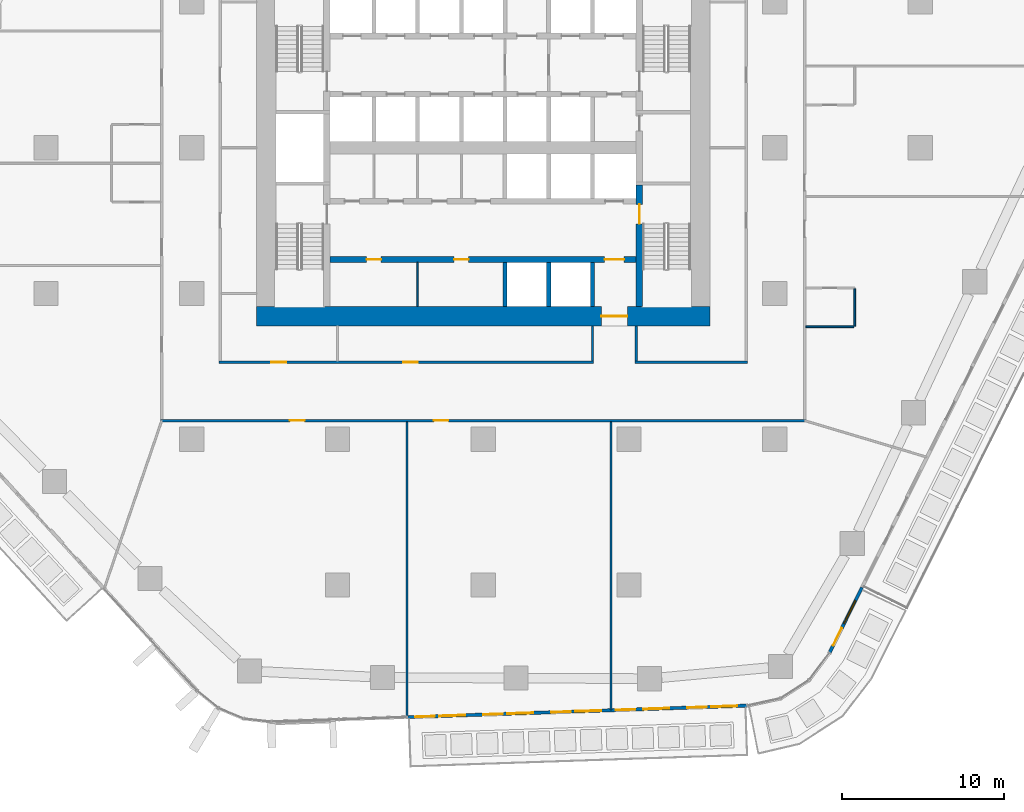
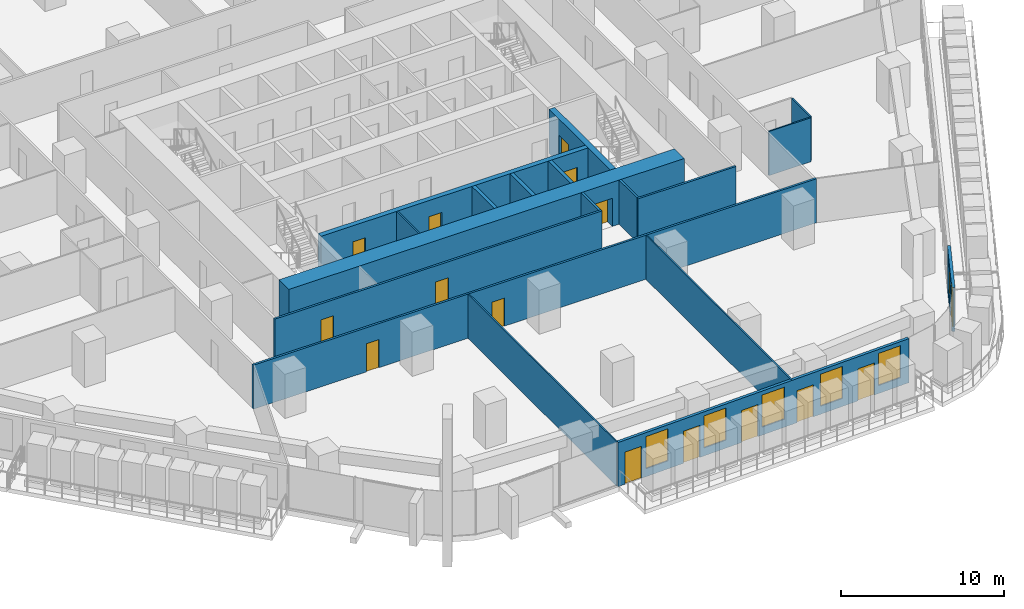
# One storey, part 13 of 26: 18 walls, 15 doors, 6 windows, 21 openings.
"""IFC4 building model written with IfcOpenShell, lengths in metres."""

from ifc_helpers import new_model, si_unit, direction, frame, frame_2d, origin, place, context, subcontext, project, spatial, rectangle, extrude, material, layer, layer_set, type_object, element, fill, save


model = new_model("IFC4")

# Units and contexts
model_context = context("Model", 3, precision=1e-05, world=origin(), true_north=direction((0.0, 1.0)))
body_context = subcontext(model_context, "Body", "Model", "MODEL_VIEW")
ifc_project = project(units=[si_unit("LENGTHUNIT", "METRE"), si_unit("AREAUNIT", "SQUARE_METRE"), si_unit("VOLUMEUNIT", "CUBIC_METRE"), si_unit("PLANEANGLEUNIT", "RADIAN"), si_unit("MASSUNIT", "GRAM", prefix="KILO")], contexts=[model_context])

# Site, building, storey
site_placement = place(None, origin())
site = spatial("IfcSite", under=ifc_project, at=site_placement, CompositionType="ELEMENT")
building_placement = place(site_placement, origin())
building = spatial("IfcBuilding", under=site, at=building_placement, Name="Dongbaek Canopy Tower", CompositionType="ELEMENT")
storey_placement = place(building_placement, frame((0.0, 0.0, 66.199951171875)))
storey = spatial("IfcBuildingStorey", under=building, at=storey_placement, Name="L12", CompositionType="ELEMENT", Elevation=66.199951171875)

# Wall, openings, doors
ifc_material_1 = material(Name="Concrete C60/75", Category="concrete")
ifc_layer_1 = layer(ifc_material_1, 0.35009765625)
ifc_layer_set_1 = layer_set([ifc_layer_1], Name="Core lobby wall 350 Concrete C60/75")
wall_type_1 = type_object("IfcWallType", Name="Core lobby wall 350 Concrete C60/75", PredefinedType="SHEAR", material=ifc_layer_set_1)
wall_1_placement = place(storey_placement, frame((9.449951171875, -6.89990234375, 0.0), z_axis=(0.0, 0.0, 1.0), x_axis=(-1.0, 0.0, 0.0)))
wall_1 = element("IfcWall", 1, at=wall_1_placement, inside=storey, type_object=wall_type_1, Name="Core wall", PredefinedType="SHEAR", context=body_context, shape_type="SweptSolid", body=[
    extrude(rectangle(XDim=18.89990234375, YDim=0.35009765625, at=frame_2d((9.449951171875, 0.0))), origin(), (0.0, 0.0, 1.0), 3.300048828125),
])
opening_1_placement = place(wall_1_placement, frame((0.75, 0.0, 0.0)))
opening_1 = element("IfcOpeningElement", 2, at=opening_1_placement, cuts=wall_1, Name="Opening L12-D045", PredefinedType="OPENING", context=body_context, shape_type="SweptSolid", body=[
    extrude(rectangle(XDim=1.199951171875, YDim=2.10009765625, at=frame_2d((0.60009765625, 1.050048828125))), frame((0.0, 0.18505859375, 0.0), z_axis=(0.0, -1.0, 0.0), x_axis=(1.0, 0.0, 0.0)), (0.0, 0.0, 1.0), 0.3701171875),
])
opening_2_placement = place(wall_1_placement, frame((15.75, 0.0, 0.0)))
opening_2 = element("IfcOpeningElement", 3, at=opening_2_placement, cuts=wall_1, Name="Opening L12-D050", PredefinedType="OPENING", context=body_context, shape_type="SweptSolid", body=[
    extrude(rectangle(XDim=0.89990234375, YDim=2.10009765625, at=frame_2d((0.449951171875, 1.050048828125))), frame((0.0, 0.18505859375, 0.0), z_axis=(0.0, -1.0, 0.0), x_axis=(1.0, 0.0, 0.0)), (0.0, 0.0, 1.0), 0.3701171875),
])
opening_3_placement = place(wall_1_placement, frame((10.35009765625, 0.0, 0.0)))
opening_3 = element("IfcOpeningElement", 4, at=opening_3_placement, cuts=wall_1, Name="Opening L12-D051", PredefinedType="OPENING", context=body_context, shape_type="SweptSolid", body=[
    extrude(rectangle(XDim=0.89990234375, YDim=2.10009765625, at=frame_2d((0.449951171875, 1.050048828125))), frame((0.0, 0.18505859375, 0.0), z_axis=(0.0, -1.0, 0.0), x_axis=(1.0, 0.0, 0.0)), (0.0, 0.0, 1.0), 0.3701171875),
])
ifc_material_2 = material(Name="Steel", Category="steel")
door_type_1 = type_object("IfcDoorType", Name="Core room door 900 x 2100", OperationType="SINGLE_SWING_LEFT", PredefinedType="DOOR", material=ifc_material_2)
door_1_placement = place(opening_2_placement, origin())
door_1 = element("IfcDoor", 5, at=door_1_placement, inside=storey, type_object=door_type_1, Name="Door L12-D050", OperationType="SINGLE_SWING_RIGHT", OverallHeight=2.10009765625, OverallWidth=0.89990234375, PredefinedType="DOOR", context=body_context, shape_type="SweptSolid", body=[
    extrude(rectangle(XDim=0.89990234375, YDim=2.10009765625, at=frame_2d((0.449951171875, 1.050048828125))), frame((0.0, 0.02490234375, 0.0), z_axis=(0.0, -1.0, 0.0), x_axis=(1.0, 0.0, 0.0)), (0.0, 0.0, 1.0), 0.050048828125),
])
fill(opening_2, door_1)
door_2_placement = place(opening_3_placement, origin())
door_2 = element("IfcDoor", 6, at=door_2_placement, inside=storey, type_object=door_type_1, Name="Door L12-D051", OperationType="SINGLE_SWING_LEFT", OverallHeight=2.10009765625, OverallWidth=0.89990234375, PredefinedType="DOOR", context=body_context, shape_type="SweptSolid", body=[
    extrude(rectangle(XDim=0.89990234375, YDim=2.10009765625, at=frame_2d((0.449951171875, 1.050048828125))), frame((0.0, 0.02490234375, 0.0), z_axis=(0.0, -1.0, 0.0), x_axis=(1.0, 0.0, 0.0)), (0.0, 0.0, 1.0), 0.050048828125),
])
fill(opening_3, door_2)
ifc_material_3 = material(Name="Steel", Category="steel")
door_type_2 = type_object("IfcDoorType", Name="Fire lobby door 1200 x 2100", OperationType="SINGLE_SWING_LEFT", PredefinedType="DOOR", material=ifc_material_3)
door_3_placement = place(opening_1_placement, origin())
door_3 = element("IfcDoor", 7, at=door_3_placement, inside=storey, type_object=door_type_2, Name="Door L12-D045", OperationType="SINGLE_SWING_LEFT", OverallHeight=2.10009765625, OverallWidth=1.199951171875, PredefinedType="DOOR", context=body_context, shape_type="SweptSolid", body=[
    extrude(rectangle(XDim=1.199951171875, YDim=2.10009765625, at=frame_2d((0.60009765625, 1.050048828125))), frame((0.0, 0.02490234375, 0.0), z_axis=(0.0, -1.0, 0.0), x_axis=(1.0, 0.0, 0.0)), (0.0, 0.0, 1.0), 0.050048828125),
])
fill(opening_1, door_3)

# Wall, opening, door
ifc_material_4 = material(Name="Concrete C60/75", Category="concrete")
ifc_layer_2 = layer(ifc_material_4, 1.199951171875)
ifc_layer_set_2 = layer_set([ifc_layer_2], Name="Core outer wall 1200 Concrete C60/75")
wall_type_2 = type_object("IfcWallType", Name="Core outer wall 1200 Concrete C60/75", PredefinedType="SHEAR", material=ifc_layer_set_2)
wall_2_placement = place(storey_placement, frame((14.0, -10.39990234375, 0.0), z_axis=(0.0, 0.0, 1.0), x_axis=(-1.0, 0.0, 0.0)))
wall_2 = element("IfcWall", 8, at=wall_2_placement, inside=storey, type_object=wall_type_2, Name="Core wall", PredefinedType="SHEAR", context=body_context, shape_type="SweptSolid", body=[
    extrude(rectangle(XDim=28.0, YDim=1.199951171875, at=frame_2d((14.0, 0.0))), origin(), (0.0, 0.0, 1.0), 3.300048828125),
])
opening_4_placement = place(wall_2_placement, frame((5.10009765625, 0.0, 0.0)))
opening_4 = element("IfcOpeningElement", 9, at=opening_4_placement, cuts=wall_2, Name="Opening L12-D044", PredefinedType="OPENING", context=body_context, shape_type="SweptSolid", body=[
    extrude(rectangle(XDim=1.60009765625, YDim=2.10009765625, at=frame_2d((0.800048828125, 1.050048828125))), frame((0.0, 0.60986328125, 0.0), z_axis=(0.0, -1.0, 0.0), x_axis=(1.0, 0.0, 0.0)), (0.0, 0.0, 1.0), 1.219970703125),
])
ifc_material_5 = material(Name="Steel", Category="steel")
door_type_3 = type_object("IfcDoorType", Name="Core exit door 1600 x 2100", OperationType="DOUBLE_DOOR_SINGLE_SWING", PredefinedType="DOOR", material=ifc_material_5)
door_4_placement = place(opening_4_placement, origin())
door_4 = element("IfcDoor", 10, at=door_4_placement, inside=storey, type_object=door_type_3, Name="Core exit door", OperationType="DOUBLE_DOOR_SINGLE_SWING", OverallHeight=2.10009765625, OverallWidth=1.60009765625, PredefinedType="DOOR", context=body_context, shape_type="SweptSolid", body=[
    extrude(rectangle(XDim=1.60009765625, YDim=2.10009765625, at=frame_2d((0.800048828125, 1.050048828125))), frame((0.0, 0.02490234375, 0.0), z_axis=(0.0, -1.0, 0.0), x_axis=(1.0, 0.0, 0.0)), (0.0, 0.0, 1.0), 0.050048828125),
])
fill(opening_4, door_4)

# Wall, openings, doors
ifc_material_6 = material(Name="Gypsum board partition, steel stud, 2 x 15 mm fire board", Category="steel")
ifc_layer_3 = layer(ifc_material_6, 0.14990234375)
ifc_layer_set_3 = layer_set([ifc_layer_3], Name="Fire-rated partition 150 gypsum board")
wall_type_3 = type_object("IfcWallType", Name="Fire-rated partition 150 gypsum board", PredefinedType="PARTITIONING", material=ifc_layer_set_3)
wall_3_placement = place(storey_placement, frame((19.925048828125, -16.85009765625, 0.0), z_axis=(0.0, 0.0, 1.0), x_axis=(-1.0, 0.0, 0.0)))
wall_3 = element("IfcWall", 11, at=wall_3_placement, inside=storey, type_object=wall_type_3, Name="Corridor partition", PredefinedType="PARTITIONING", context=body_context, shape_type="SweptSolid", body=[
    extrude(rectangle(XDim=39.85009765625, YDim=0.14990234375, at=frame_2d((19.925048828125, 0.0))), origin(), (0.0, 0.0, 1.0), 3.300048828125),
])
opening_5_placement = place(wall_3_placement, frame((30.959228515625, 0.0, 0.0)))
opening_5 = element("IfcOpeningElement", 12, at=opening_5_placement, cuts=wall_3, Name="Opening L12-D004", PredefinedType="OPENING", context=body_context, shape_type="SweptSolid", body=[
    extrude(rectangle(XDim=0.89990234375, YDim=2.10009765625, at=frame_2d((0.449951171875, 1.050048828125))), frame((0.0, 0.0849609375, 0.0), z_axis=(0.0, -1.0, 0.0), x_axis=(1.0, 0.0, 0.0)), (0.0, 0.0, 1.0), 0.169921875),
])
opening_6_placement = place(wall_3_placement, frame((22.077392578125, 0.0, 0.0)))
opening_6 = element("IfcOpeningElement", 13, at=opening_6_placement, cuts=wall_3, Name="Opening L12-D005", PredefinedType="OPENING", context=body_context, shape_type="SweptSolid", body=[
    extrude(rectangle(XDim=0.89990234375, YDim=2.10009765625, at=frame_2d((0.449951171875, 1.050048828125))), frame((0.0, 0.0849609375, 0.0), z_axis=(0.0, -1.0, 0.0), x_axis=(1.0, 0.0, 0.0)), (0.0, 0.0, 1.0), 0.169921875),
])
ifc_material_7 = material(Name="Timber veneered door leaf", Category="wood")
door_type_4 = type_object("IfcDoorType", Name="Room door 900 x 2100", OperationType="SINGLE_SWING_LEFT", PredefinedType="DOOR", material=ifc_material_7)
door_5_placement = place(opening_5_placement, origin())
door_5 = element("IfcDoor", 14, at=door_5_placement, inside=storey, type_object=door_type_4, Name="Door L12-D004", OperationType="SINGLE_SWING_RIGHT", OverallHeight=2.10009765625, OverallWidth=0.89990234375, PredefinedType="DOOR", context=body_context, shape_type="SweptSolid", body=[
    extrude(rectangle(XDim=0.89990234375, YDim=2.10009765625, at=frame_2d((0.449951171875, 1.050048828125))), frame((0.0, 0.02490234375, 0.0), z_axis=(0.0, -1.0, 0.0), x_axis=(1.0, 0.0, 0.0)), (0.0, 0.0, 1.0), 0.050048828125),
])
fill(opening_5, door_5)
door_6_placement = place(opening_6_placement, origin())
door_6 = element("IfcDoor", 15, at=door_6_placement, inside=storey, type_object=door_type_4, Name="Door L12-D005", OperationType="SINGLE_SWING_LEFT", OverallHeight=2.10009765625, OverallWidth=0.89990234375, PredefinedType="DOOR", context=body_context, shape_type="SweptSolid", body=[
    extrude(rectangle(XDim=0.89990234375, YDim=2.10009765625, at=frame_2d((0.449951171875, 1.050048828125))), frame((0.0, 0.02490234375, 0.0), z_axis=(0.0, -1.0, 0.0), x_axis=(1.0, 0.0, 0.0)), (0.0, 0.0, 1.0), 0.050048828125),
])
fill(opening_6, door_6)

wall_4_placement = place(storey_placement, frame((-16.324951171875, -13.25, 0.0), z_axis=(0.0, 0.0, 1.0), x_axis=(1.0, 0.0, 0.0)))
wall_4 = element("IfcWall", 16, at=wall_4_placement, inside=storey, type_object=wall_type_3, Name="Corridor partition", PredefinedType="PARTITIONING", context=body_context, shape_type="SweptSolid", body=[
    extrude(rectangle(XDim=23.14990234375, YDim=0.14990234375, at=frame_2d((11.574951171875, 0.0))), origin(), (0.0, 0.0, 1.0), 3.300048828125),
])
opening_7_placement = place(wall_4_placement, frame((3.25, 0.0, 0.0)))
opening_7 = element("IfcOpeningElement", 17, at=opening_7_placement, cuts=wall_4, Name="Opening L12-D019", PredefinedType="OPENING", context=body_context, shape_type="SweptSolid", body=[
    extrude(rectangle(XDim=0.89990234375, YDim=2.10009765625, at=frame_2d((0.449951171875, 1.050048828125))), frame((0.0, 0.0849609375, 0.0), z_axis=(0.0, -1.0, 0.0), x_axis=(1.0, 0.0, 0.0)), (0.0, 0.0, 1.0), 0.169921875),
])
opening_8_placement = place(wall_4_placement, frame((11.375, 0.0, 0.0)))
opening_8 = element("IfcOpeningElement", 18, at=opening_8_placement, cuts=wall_4, Name="Opening L12-D020", PredefinedType="OPENING", context=body_context, shape_type="SweptSolid", body=[
    extrude(rectangle(XDim=0.89990234375, YDim=2.10009765625, at=frame_2d((0.449951171875, 1.050048828125))), frame((0.0, 0.0849609375, 0.0), z_axis=(0.0, -1.0, 0.0), x_axis=(1.0, 0.0, 0.0)), (0.0, 0.0, 1.0), 0.169921875),
])
door_7_placement = place(opening_7_placement, origin())
door_7 = element("IfcDoor", 19, at=door_7_placement, inside=storey, type_object=door_type_4, Name="Door L12-D019", OperationType="SINGLE_SWING_LEFT", OverallHeight=2.10009765625, OverallWidth=0.89990234375, PredefinedType="DOOR", context=body_context, shape_type="SweptSolid", body=[
    extrude(rectangle(XDim=0.89990234375, YDim=2.10009765625, at=frame_2d((0.449951171875, 1.050048828125))), frame((0.0, 0.02490234375, 0.0), z_axis=(0.0, -1.0, 0.0), x_axis=(1.0, 0.0, 0.0)), (0.0, 0.0, 1.0), 0.050048828125),
])
fill(opening_7, door_7)
door_8_placement = place(opening_8_placement, origin())
door_8 = element("IfcDoor", 20, at=door_8_placement, inside=storey, type_object=door_type_4, Name="Door L12-D020", OperationType="SINGLE_SWING_RIGHT", OverallHeight=2.10009765625, OverallWidth=0.89990234375, PredefinedType="DOOR", context=body_context, shape_type="SweptSolid", body=[
    extrude(rectangle(XDim=0.89990234375, YDim=2.10009765625, at=frame_2d((0.449951171875, 1.050048828125))), frame((0.0, 0.02490234375, 0.0), z_axis=(0.0, -1.0, 0.0), x_axis=(1.0, 0.0, 0.0)), (0.0, 0.0, 1.0), 0.050048828125),
])
fill(opening_8, door_8)

# Walls
wall_5_placement = place(storey_placement, frame((9.375, -13.25, 0.0), z_axis=(0.0, 0.0, 1.0), x_axis=(1.0, 0.0, 0.0)))
element("IfcWall", 21, at=wall_5_placement, inside=storey, type_object=wall_type_3, Name="Corridor partition", PredefinedType="PARTITIONING", context=body_context, shape_type="SweptSolid", body=[
    extrude(rectangle(XDim=6.949951171875, YDim=0.14990234375, at=frame_2d((3.47509765625, 0.0))), origin(), (0.0, 0.0, 1.0), 3.300048828125),
])
for number, where, z_axis, x_axis, name in (
    (22, (9.449951171875, -13.175048828125, 0.0), (0.0, 0.0, 1.0), (0.0, 1.0, 0.0), "Corridor partition"),
    (23, (6.75, -13.175048828125, 0.0), (0.0, 0.0, 1.0), (0.0, 1.0, 0.0), "Corridor partition"),
):
    element("IfcWall", number, at=place(storey_placement, frame(where, z_axis=z_axis, x_axis=x_axis)), inside=storey, type_object=wall_type_3, Name=name, PredefinedType="PARTITIONING", context=body_context, shape_type="SweptSolid", body=[
        extrude(rectangle(XDim=2.175048828125, YDim=0.14990234375, at=frame_2d((1.08740234375, 0.0))), origin(), (0.0, 0.0, 1.0), 3.300048828125),
    ])
ifc_material_8 = material(Name="Concrete C40/50", Category="concrete")
ifc_layer_4 = layer(ifc_material_8, 0.25)
ifc_layer_set_4 = layer_set([ifc_layer_4], Name="Lift shaft wall 250 Concrete C40/50")
wall_type_4 = type_object("IfcWallType", Name="Lift shaft wall 250 Concrete C40/50", PredefinedType="SOLIDWALL", material=ifc_layer_set_4)
for number, where, z_axis, x_axis, name in (
    (24, (6.75, -9.800048828125, 0.0), (0.0, 0.0, 1.0), (0.0, 1.0, 0.0), "Lift shaft wall"),
    (25, (4.050048828125, -9.800048828125, 0.0), (0.0, 0.0, 1.0), (0.0, 1.0, 0.0), "Lift shaft wall"),
    (26, (1.35009765625, -9.800048828125, 0.0), (0.0, 0.0, 1.0), (0.0, 1.0, 0.0), "Lift shaft wall"),
):
    element("IfcWall", number, at=place(storey_placement, frame(where, z_axis=z_axis, x_axis=x_axis)), inside=storey, type_object=wall_type_4, Name=name, PredefinedType="SOLIDWALL", context=body_context, shape_type="SweptSolid", body=[
        extrude(rectangle(XDim=2.72509765625, YDim=0.25, at=frame_2d((1.362548828125, 0.0))), origin(), (0.0, 0.0, 1.0), 3.300048828125),
    ])
ifc_material_9 = material(Name="Gypsum board partition, steel stud, 2 x 12.5 mm board", Category="steel")
ifc_layer_5 = layer(ifc_material_9, 0.10009765625)
ifc_layer_set_5 = layer_set([ifc_layer_5], Name="Partition 100 gypsum board")
wall_type_5 = type_object("IfcWallType", Name="Partition 100 gypsum board", PredefinedType="PARTITIONING", material=ifc_layer_set_5)
wall_6_placement = place(storey_placement, frame((19.925048828125, -11.05810546875, 0.0), z_axis=(0.0, 0.0, 1.0), x_axis=(1.0, 0.0, 0.0)))
element("IfcWall", 27, at=wall_6_placement, inside=storey, type_object=wall_type_5, Name="Partition", PredefinedType="PARTITIONING", context=body_context, shape_type="SweptSolid", body=[
    extrude(rectangle(XDim=2.974853515625, YDim=0.10009765625, at=frame_2d((1.4873046875, 0.0))), origin(), (0.0, 0.0, 1.0), 3.300048828125),
])
wall_7_placement = place(storey_placement, frame((22.949951171875, -11.008544921875, 0.0), z_axis=(0.0, 0.0, 1.0), x_axis=(0.0, 1.0, 0.0)))
element("IfcWall", 28, at=wall_7_placement, inside=storey, type_object=wall_type_5, Name="Partition", PredefinedType="PARTITIONING", context=body_context, shape_type="SweptSolid", body=[
    extrude(rectangle(XDim=2.300048828125, YDim=0.10009765625, at=frame_2d((1.14990234375, 0.0))), origin(), (0.0, 0.0, 1.0), 3.300048828125),
])
wall_8_placement = place(storey_placement, frame((7.89697265625, -34.719970703125, 0.0), z_axis=(0.0, 0.0, 1.0), x_axis=(0.0, 1.0, 0.0)))
element("IfcWall", 29, at=wall_8_placement, inside=storey, type_object=wall_type_5, Name="Partition", PredefinedType="PARTITIONING", context=body_context, shape_type="SweptSolid", body=[
    extrude(rectangle(XDim=17.794921875, YDim=0.10009765625, at=frame_2d((8.8974609375, 0.0))), origin(), (0.0, 0.0, 1.0), 3.300048828125),
])
wall_9_placement = place(storey_placement, frame((-4.701904296875, -35.147705078125, 0.0), z_axis=(0.0, 0.0, 1.0), x_axis=(0.0, 1.0, 0.0)))
element("IfcWall", 30, at=wall_9_placement, inside=storey, type_object=wall_type_5, Name="Partition", PredefinedType="PARTITIONING", context=body_context, shape_type="SweptSolid", body=[
    extrude(rectangle(XDim=18.22265625, YDim=0.10009765625, at=frame_2d((9.111328125, 0.0))), origin(), (0.0, 0.0, 1.0), 3.300048828125),
])
wall_10_placement = place(storey_placement, frame((-4.050048828125, -9.800048828125, 0.0), z_axis=(0.0, 0.0, 1.0), x_axis=(0.0, 1.0, 0.0)))
element("IfcWall", 31, at=wall_10_placement, inside=storey, type_object=wall_type_5, Name="Core partition", PredefinedType="PARTITIONING", context=body_context, shape_type="SweptSolid", body=[
    extrude(rectangle(XDim=2.72509765625, YDim=0.10009765625, at=frame_2d((1.362548828125, 0.0))), origin(), (0.0, 0.0, 1.0), 3.300048828125),
])

# Wall, opening, door
ifc_material_10 = material(Name="Concrete C60/75", Category="concrete")
ifc_layer_6 = layer(ifc_material_10, 0.39990234375)
ifc_layer_set_6 = layer_set([ifc_layer_6], Name="Stair wall 400 Concrete C60/75")
wall_type_6 = type_object("IfcWallType", Name="Stair wall 400 Concrete C60/75", PredefinedType="SHEAR", material=ifc_layer_set_6)
wall_11_placement = place(storey_placement, frame((9.64990234375, -2.300048828125, 0.0), z_axis=(0.0, 0.0, 1.0), x_axis=(0.0, -1.0, 0.0)))
wall_11 = element("IfcWall", 32, at=wall_11_placement, inside=storey, type_object=wall_type_6, Name="Stair wall", PredefinedType="SHEAR", context=body_context, shape_type="SweptSolid", body=[
    extrude(rectangle(XDim=7.5, YDim=0.39990234375, at=frame_2d((3.75, 0.0))), origin(), (0.0, 0.0, 1.0), 3.300048828125),
])
opening_9_placement = place(wall_11_placement, frame((1.199951171875, 0.0, 0.0)))
opening_9 = element("IfcOpeningElement", 33, at=opening_9_placement, cuts=wall_11, Name="Opening L12-D054", PredefinedType="OPENING", context=body_context, shape_type="SweptSolid", body=[
    extrude(rectangle(XDim=1.199951171875, YDim=2.10009765625, at=frame_2d((0.60009765625, 1.050048828125))), frame((0.0, 0.2099609375, 0.0), z_axis=(0.0, -1.0, 0.0), x_axis=(1.0, 0.0, 0.0)), (0.0, 0.0, 1.0), 0.419921875),
])
ifc_material_11 = material(Name="Steel", Category="steel")
door_type_5 = type_object("IfcDoorType", Name="Stair door 1200 x 2100", OperationType="SINGLE_SWING_LEFT", PredefinedType="DOOR", material=ifc_material_11)
door_9_placement = place(opening_9_placement, origin())
door_9 = element("IfcDoor", 34, at=door_9_placement, inside=storey, type_object=door_type_5, Name="Stair B door", OperationType="SINGLE_SWING_RIGHT", OverallHeight=2.10009765625, OverallWidth=1.199951171875, PredefinedType="DOOR", context=body_context, shape_type="SweptSolid", body=[
    extrude(rectangle(XDim=1.199951171875, YDim=2.10009765625, at=frame_2d((0.60009765625, 1.050048828125))), frame((0.0, 0.02490234375, 0.0), z_axis=(0.0, -1.0, 0.0), x_axis=(1.0, 0.0, 0.0)), (0.0, 0.0, 1.0), 0.050048828125),
])
fill(opening_9, door_9)

# Wall, openings, doors, windows
ifc_material_12 = material(Name="Aluminium window wall", Category="aluminium")
ifc_layer_7 = layer(ifc_material_12, 0.199951171875)
ifc_layer_set_7 = layer_set([ifc_layer_7], Name="Window wall 200")
wall_type_7 = type_object("IfcWallType", Name="Window wall 200", PredefinedType="SOLIDWALL", material=ifc_layer_set_7)
wall_12_placement = place(storey_placement, frame((-4.702392578125, -35.167724609375, 0.0), z_axis=(0.0, 0.0, 1.0), x_axis=(0.999424265527, 0.033928416948, 0.0)))
wall_12 = element("IfcWall", 35, at=wall_12_placement, inside=storey, type_object=wall_type_7, Name="Window wall L12 4", PredefinedType="SOLIDWALL", context=body_context, shape_type="SweptSolid", body=[
    extrude(rectangle(XDim=21.01171875, YDim=0.199951171875, at=frame_2d((10.505859375, 0.0))), origin(), (0.0, 0.0, 1.0), 3.300048828125),
])
opening_10_placement = place(wall_12_placement, frame((2.0, 0.0, 0.60009765625)))
opening_10 = element("IfcOpeningElement", 36, at=opening_10_placement, cuts=wall_12, Name="Opening W1", PredefinedType="OPENING", context=body_context, shape_type="SweptSolid", body=[
    extrude(rectangle(XDim=1.60009765625, YDim=2.39990234375, at=frame_2d((0.800048828125, 1.199951171875))), frame((0.0, 0.10986328125, 0.0), z_axis=(0.0, -1.0, 0.0), x_axis=(1.0, 0.0, 0.0)), (0.0, 0.0, 1.0), 0.219970703125),
])
opening_11_placement = place(wall_12_placement, frame((0.5, 0.0, 0.0)))
opening_11 = element("IfcOpeningElement", 37, at=opening_11_placement, cuts=wall_12, Name="Opening L12-B16", PredefinedType="OPENING", context=body_context, shape_type="SweptSolid", body=[
    extrude(rectangle(XDim=1.199951171875, YDim=2.39990234375, at=frame_2d((0.60009765625, 1.199951171875))), frame((0.0, 0.10986328125, 0.0), z_axis=(0.0, -1.0, 0.0), x_axis=(1.0, 0.0, 0.0)), (0.0, 0.0, 1.0), 0.219970703125),
])
opening_12_placement = place(wall_12_placement, frame((6.202392578125, 0.0, 0.60009765625)))
opening_12 = element("IfcOpeningElement", 38, at=opening_12_placement, cuts=wall_12, Name="Opening W1", PredefinedType="OPENING", context=body_context, shape_type="SweptSolid", body=[
    extrude(rectangle(XDim=1.60009765625, YDim=2.39990234375, at=frame_2d((0.800048828125, 1.199951171875))), frame((0.0, 0.10986328125, 0.0), z_axis=(0.0, -1.0, 0.0), x_axis=(1.0, 0.0, 0.0)), (0.0, 0.0, 1.0), 0.219970703125),
])
opening_13_placement = place(wall_12_placement, frame((4.702392578125, 0.0, 0.0)))
opening_13 = element("IfcOpeningElement", 39, at=opening_13_placement, cuts=wall_12, Name="Opening L12-B17", PredefinedType="OPENING", context=body_context, shape_type="SweptSolid", body=[
    extrude(rectangle(XDim=1.199951171875, YDim=2.39990234375, at=frame_2d((0.60009765625, 1.199951171875))), frame((0.0, 0.10986328125, 0.0), z_axis=(0.0, -1.0, 0.0), x_axis=(1.0, 0.0, 0.0)), (0.0, 0.0, 1.0), 0.219970703125),
])
opening_14_placement = place(wall_12_placement, frame((10.404541015625, 0.0, 0.60009765625)))
opening_14 = element("IfcOpeningElement", 40, at=opening_14_placement, cuts=wall_12, Name="Opening W1", PredefinedType="OPENING", context=body_context, shape_type="SweptSolid", body=[
    extrude(rectangle(XDim=1.60009765625, YDim=2.39990234375, at=frame_2d((0.800048828125, 1.199951171875))), frame((0.0, 0.10986328125, 0.0), z_axis=(0.0, -1.0, 0.0), x_axis=(1.0, 0.0, 0.0)), (0.0, 0.0, 1.0), 0.219970703125),
])
opening_15_placement = place(wall_12_placement, frame((8.904541015625, 0.0, 0.0)))
opening_15 = element("IfcOpeningElement", 41, at=opening_15_placement, cuts=wall_12, Name="Opening L12-B18", PredefinedType="OPENING", context=body_context, shape_type="SweptSolid", body=[
    extrude(rectangle(XDim=1.199951171875, YDim=2.39990234375, at=frame_2d((0.60009765625, 1.199951171875))), frame((0.0, 0.10986328125, 0.0), z_axis=(0.0, -1.0, 0.0), x_axis=(1.0, 0.0, 0.0)), (0.0, 0.0, 1.0), 0.219970703125),
])
opening_16_placement = place(wall_12_placement, frame((14.60693359375, 0.0, 0.60009765625)))
opening_16 = element("IfcOpeningElement", 42, at=opening_16_placement, cuts=wall_12, Name="Opening W1", PredefinedType="OPENING", context=body_context, shape_type="SweptSolid", body=[
    extrude(rectangle(XDim=1.60009765625, YDim=2.39990234375, at=frame_2d((0.800048828125, 1.199951171875))), frame((0.0, 0.10986328125, 0.0), z_axis=(0.0, -1.0, 0.0), x_axis=(1.0, 0.0, 0.0)), (0.0, 0.0, 1.0), 0.219970703125),
])
opening_17_placement = place(wall_12_placement, frame((12.906982421875, 0.0, 0.0)))
opening_17 = element("IfcOpeningElement", 43, at=opening_17_placement, cuts=wall_12, Name="Opening L12-B19", PredefinedType="OPENING", context=body_context, shape_type="SweptSolid", body=[
    extrude(rectangle(XDim=1.199951171875, YDim=2.39990234375, at=frame_2d((0.60009765625, 1.199951171875))), frame((0.0, 0.10986328125, 0.0), z_axis=(0.0, -1.0, 0.0), x_axis=(1.0, 0.0, 0.0)), (0.0, 0.0, 1.0), 0.219970703125),
])
opening_18_placement = place(wall_12_placement, frame((18.809326171875, 0.0, 0.60009765625)))
opening_18 = element("IfcOpeningElement", 44, at=opening_18_placement, cuts=wall_12, Name="Opening W1", PredefinedType="OPENING", context=body_context, shape_type="SweptSolid", body=[
    extrude(rectangle(XDim=1.60009765625, YDim=2.39990234375, at=frame_2d((0.800048828125, 1.199951171875))), frame((0.0, 0.10986328125, 0.0), z_axis=(0.0, -1.0, 0.0), x_axis=(1.0, 0.0, 0.0)), (0.0, 0.0, 1.0), 0.219970703125),
])
opening_19_placement = place(wall_12_placement, frame((17.309326171875, 0.0, 0.0)))
opening_19 = element("IfcOpeningElement", 45, at=opening_19_placement, cuts=wall_12, Name="Opening L12-B20", PredefinedType="OPENING", context=body_context, shape_type="SweptSolid", body=[
    extrude(rectangle(XDim=1.199951171875, YDim=2.39990234375, at=frame_2d((0.60009765625, 1.199951171875))), frame((0.0, 0.10986328125, 0.0), z_axis=(0.0, -1.0, 0.0), x_axis=(1.0, 0.0, 0.0)), (0.0, 0.0, 1.0), 0.219970703125),
])
ifc_material_13 = material(Name="Clear glazing in aluminium frame", Category="aluminium")
door_type_6 = type_object("IfcDoorType", Name="Balcony door BD1 1200 x 2400", OperationType="SLIDING_TO_LEFT", PredefinedType="DOOR", material=ifc_material_13)
door_10_placement = place(opening_11_placement, origin())
door_10 = element("IfcDoor", 46, at=door_10_placement, inside=storey, type_object=door_type_6, Name="Balcony door L12-B16", OperationType="SLIDING_TO_LEFT", OverallHeight=2.39990234375, OverallWidth=1.199951171875, PredefinedType="DOOR", context=body_context, shape_type="SweptSolid", body=[
    extrude(rectangle(XDim=1.199951171875, YDim=2.39990234375, at=frame_2d((0.60009765625, 1.199951171875))), frame((0.0, 0.02490234375, 0.0), z_axis=(0.0, -1.0, 0.0), x_axis=(1.0, 0.0, 0.0)), (0.0, 0.0, 1.0), 0.050048828125),
])
fill(opening_11, door_10)
door_11_placement = place(opening_13_placement, origin())
door_11 = element("IfcDoor", 47, at=door_11_placement, inside=storey, type_object=door_type_6, Name="Balcony door L12-B17", OperationType="SLIDING_TO_LEFT", OverallHeight=2.39990234375, OverallWidth=1.199951171875, PredefinedType="DOOR", context=body_context, shape_type="SweptSolid", body=[
    extrude(rectangle(XDim=1.199951171875, YDim=2.39990234375, at=frame_2d((0.60009765625, 1.199951171875))), frame((0.0, 0.02490234375, 0.0), z_axis=(0.0, -1.0, 0.0), x_axis=(1.0, 0.0, 0.0)), (0.0, 0.0, 1.0), 0.050048828125),
])
fill(opening_13, door_11)
door_12_placement = place(opening_15_placement, origin())
door_12 = element("IfcDoor", 48, at=door_12_placement, inside=storey, type_object=door_type_6, Name="Balcony door L12-B18", OperationType="SLIDING_TO_LEFT", OverallHeight=2.39990234375, OverallWidth=1.199951171875, PredefinedType="DOOR", context=body_context, shape_type="SweptSolid", body=[
    extrude(rectangle(XDim=1.199951171875, YDim=2.39990234375, at=frame_2d((0.60009765625, 1.199951171875))), frame((0.0, 0.02490234375, 0.0), z_axis=(0.0, -1.0, 0.0), x_axis=(1.0, 0.0, 0.0)), (0.0, 0.0, 1.0), 0.050048828125),
])
fill(opening_15, door_12)
door_13_placement = place(opening_17_placement, origin())
door_13 = element("IfcDoor", 49, at=door_13_placement, inside=storey, type_object=door_type_6, Name="Balcony door L12-B19", OperationType="SLIDING_TO_LEFT", OverallHeight=2.39990234375, OverallWidth=1.199951171875, PredefinedType="DOOR", context=body_context, shape_type="SweptSolid", body=[
    extrude(rectangle(XDim=1.199951171875, YDim=2.39990234375, at=frame_2d((0.60009765625, 1.199951171875))), frame((0.0, 0.02490234375, 0.0), z_axis=(0.0, -1.0, 0.0), x_axis=(1.0, 0.0, 0.0)), (0.0, 0.0, 1.0), 0.050048828125),
])
fill(opening_17, door_13)
door_14_placement = place(opening_19_placement, origin())
door_14 = element("IfcDoor", 50, at=door_14_placement, inside=storey, type_object=door_type_6, Name="Balcony door L12-B20", OperationType="SLIDING_TO_LEFT", OverallHeight=2.39990234375, OverallWidth=1.199951171875, PredefinedType="DOOR", context=body_context, shape_type="SweptSolid", body=[
    extrude(rectangle(XDim=1.199951171875, YDim=2.39990234375, at=frame_2d((0.60009765625, 1.199951171875))), frame((0.0, 0.02490234375, 0.0), z_axis=(0.0, -1.0, 0.0), x_axis=(1.0, 0.0, 0.0)), (0.0, 0.0, 1.0), 0.050048828125),
])
fill(opening_19, door_14)
ifc_material_14 = material(Name="Clear glazing in aluminium frame", Category="aluminium")
window_type = type_object("IfcWindowType", Name="Window W1 1600 x 2400", PartitioningType="SINGLE_PANEL", PredefinedType="WINDOW", material=ifc_material_14)
window_1_placement = place(opening_10_placement, origin())
window_1 = element("IfcWindow", 51, at=window_1_placement, inside=storey, type_object=window_type, Name="Window L12 4.1", OverallHeight=2.39990234375, OverallWidth=1.60009765625, PartitioningType="SINGLE_PANEL", PredefinedType="WINDOW", context=body_context, shape_type="SweptSolid", body=[
    extrude(rectangle(XDim=1.60009765625, YDim=2.39990234375, at=frame_2d((0.800048828125, 1.199951171875))), frame((0.0, 0.030029296875, 0.0), z_axis=(0.0, -1.0, 0.0), x_axis=(1.0, 0.0, 0.0)), (0.0, 0.0, 1.0), 0.06005859375),
])
fill(opening_10, window_1)
window_2_placement = place(opening_12_placement, origin())
window_2 = element("IfcWindow", 52, at=window_2_placement, inside=storey, type_object=window_type, Name="Window L12 4.2", OverallHeight=2.39990234375, OverallWidth=1.60009765625, PartitioningType="SINGLE_PANEL", PredefinedType="WINDOW", context=body_context, shape_type="SweptSolid", body=[
    extrude(rectangle(XDim=1.60009765625, YDim=2.39990234375, at=frame_2d((0.800048828125, 1.199951171875))), frame((0.0, 0.030029296875, 0.0), z_axis=(0.0, -1.0, 0.0), x_axis=(1.0, 0.0, 0.0)), (0.0, 0.0, 1.0), 0.06005859375),
])
fill(opening_12, window_2)
window_3_placement = place(opening_14_placement, origin())
window_3 = element("IfcWindow", 53, at=window_3_placement, inside=storey, type_object=window_type, Name="Window L12 4.3", OverallHeight=2.39990234375, OverallWidth=1.60009765625, PartitioningType="SINGLE_PANEL", PredefinedType="WINDOW", context=body_context, shape_type="SweptSolid", body=[
    extrude(rectangle(XDim=1.60009765625, YDim=2.39990234375, at=frame_2d((0.800048828125, 1.199951171875))), frame((0.0, 0.030029296875, 0.0), z_axis=(0.0, -1.0, 0.0), x_axis=(1.0, 0.0, 0.0)), (0.0, 0.0, 1.0), 0.06005859375),
])
fill(opening_14, window_3)
window_4_placement = place(opening_16_placement, origin())
window_4 = element("IfcWindow", 54, at=window_4_placement, inside=storey, type_object=window_type, Name="Window L12 4.4", OverallHeight=2.39990234375, OverallWidth=1.60009765625, PartitioningType="SINGLE_PANEL", PredefinedType="WINDOW", context=body_context, shape_type="SweptSolid", body=[
    extrude(rectangle(XDim=1.60009765625, YDim=2.39990234375, at=frame_2d((0.800048828125, 1.199951171875))), frame((0.0, 0.030029296875, 0.0), z_axis=(0.0, -1.0, 0.0), x_axis=(1.0, 0.0, 0.0)), (0.0, 0.0, 1.0), 0.06005859375),
])
fill(opening_16, window_4)
window_5_placement = place(opening_18_placement, origin())
window_5 = element("IfcWindow", 55, at=window_5_placement, inside=storey, type_object=window_type, Name="Window L12 4.5", OverallHeight=2.39990234375, OverallWidth=1.60009765625, PartitioningType="SINGLE_PANEL", PredefinedType="WINDOW", context=body_context, shape_type="SweptSolid", body=[
    extrude(rectangle(XDim=1.60009765625, YDim=2.39990234375, at=frame_2d((0.800048828125, 1.199951171875))), frame((0.0, 0.030029296875, 0.0), z_axis=(0.0, -1.0, 0.0), x_axis=(1.0, 0.0, 0.0)), (0.0, 0.0, 1.0), 0.06005859375),
])
fill(opening_18, window_5)

# Wall, openings, door, window
wall_13_placement = place(storey_placement, frame((21.389404296875, -31.18359375, 0.0), z_axis=(0.0, 0.0, 1.0), x_axis=(0.446430594138, 0.894818263458, 0.0)))
wall_13 = element("IfcWall", 56, at=wall_13_placement, inside=storey, type_object=wall_type_7, Name="Window wall L12 8", PredefinedType="SOLIDWALL", context=body_context, shape_type="SweptSolid", body=[
    extrude(rectangle(XDim=4.490966796875, YDim=0.199951171875, at=frame_2d((2.24560546875, 0.0))), origin(), (0.0, 0.0, 1.0), 3.300048828125),
])
opening_20_placement = place(wall_13_placement, frame((2.0, 0.0, 0.60009765625)))
opening_20 = element("IfcOpeningElement", 57, at=opening_20_placement, cuts=wall_13, Name="Opening W1", PredefinedType="OPENING", context=body_context, shape_type="SweptSolid", body=[
    extrude(rectangle(XDim=1.60009765625, YDim=2.39990234375, at=frame_2d((0.800048828125, 1.199951171875))), frame((0.0, 0.10986328125, 0.0), z_axis=(0.0, -1.0, 0.0), x_axis=(1.0, 0.0, 0.0)), (0.0, 0.0, 1.0), 0.219970703125),
])
opening_21_placement = place(wall_13_placement, frame((0.5, 0.0, 0.0)))
opening_21 = element("IfcOpeningElement", 58, at=opening_21_placement, cuts=wall_13, Name="Opening L12-B27", PredefinedType="OPENING", context=body_context, shape_type="SweptSolid", body=[
    extrude(rectangle(XDim=1.199951171875, YDim=2.39990234375, at=frame_2d((0.60009765625, 1.199951171875))), frame((0.0, 0.10986328125, 0.0), z_axis=(0.0, -1.0, 0.0), x_axis=(1.0, 0.0, 0.0)), (0.0, 0.0, 1.0), 0.219970703125),
])
door_15_placement = place(opening_21_placement, origin())
door_15 = element("IfcDoor", 59, at=door_15_placement, inside=storey, type_object=door_type_6, Name="Balcony door L12-B27", OperationType="SLIDING_TO_LEFT", OverallHeight=2.39990234375, OverallWidth=1.199951171875, PredefinedType="DOOR", context=body_context, shape_type="SweptSolid", body=[
    extrude(rectangle(XDim=1.199951171875, YDim=2.39990234375, at=frame_2d((0.60009765625, 1.199951171875))), frame((0.0, 0.02490234375, 0.0), z_axis=(0.0, -1.0, 0.0), x_axis=(1.0, 0.0, 0.0)), (0.0, 0.0, 1.0), 0.050048828125),
])
fill(opening_21, door_15)
window_6_placement = place(opening_20_placement, origin())
window_6 = element("IfcWindow", 60, at=window_6_placement, inside=storey, type_object=window_type, Name="Window L12 8.1", OverallHeight=2.39990234375, OverallWidth=1.60009765625, PartitioningType="SINGLE_PANEL", PredefinedType="WINDOW", context=body_context, shape_type="SweptSolid", body=[
    extrude(rectangle(XDim=1.60009765625, YDim=2.39990234375, at=frame_2d((0.800048828125, 1.199951171875))), frame((0.0, 0.030029296875, 0.0), z_axis=(0.0, -1.0, 0.0), x_axis=(1.0, 0.0, 0.0)), (0.0, 0.0, 1.0), 0.06005859375),
])
fill(opening_20, window_6)

save(model, "model.ifc")
